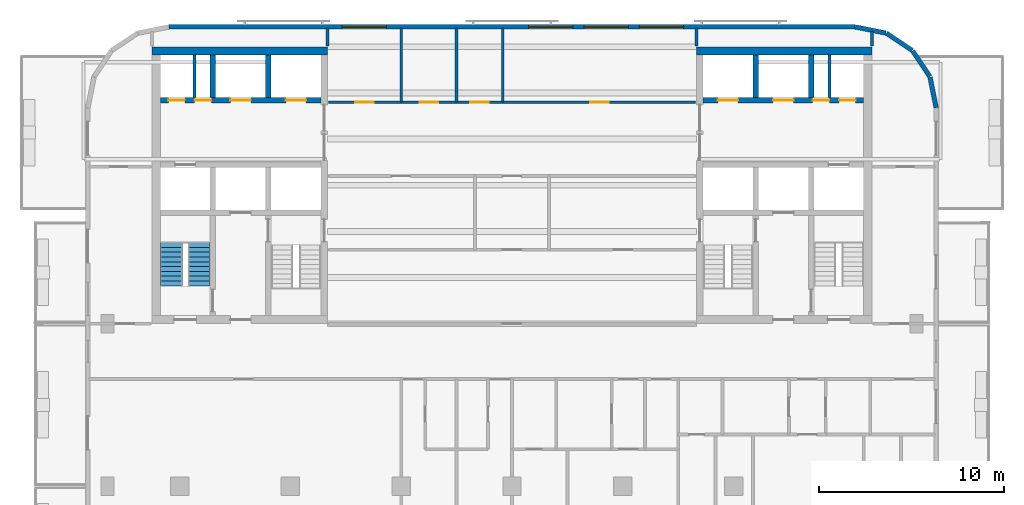
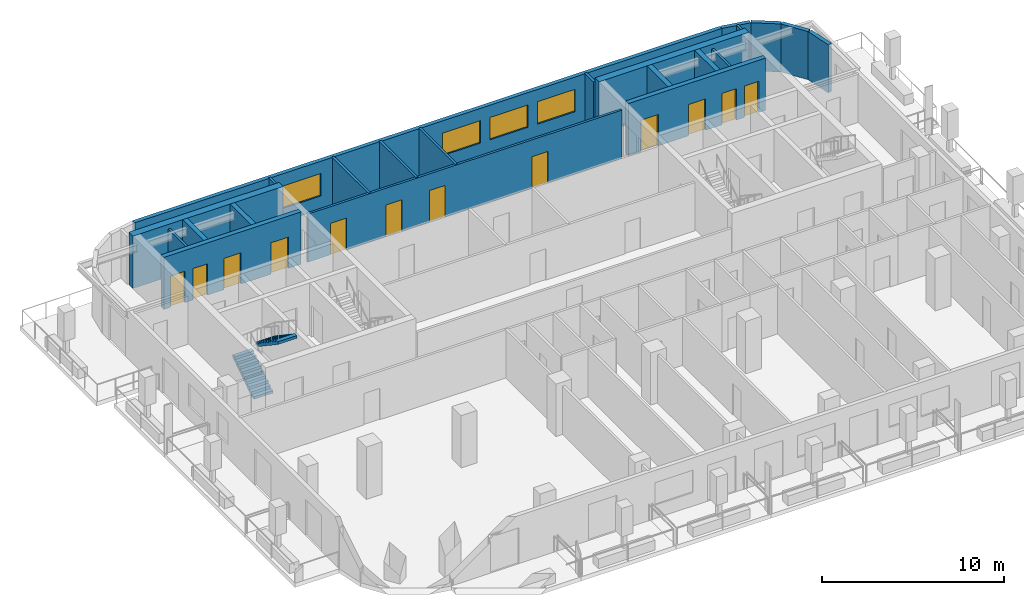
# One storey, part 6 of 10: 22 walls, 12 doors, 4 windows, 2 stair flights, 16 openings, 1 element without a shape of its own.
"""IFC4 building model written with IfcOpenShell, lengths in metres."""

import ifcopenshell
import ifcopenshell.guid

model = None  # the IFC model being written
_history = None  # IfcOwnerHistory: only IFC2X3 demands one
_inside = {}  # id of a spatial element -> (the spatial element, [elements in it])
_under = {}  # id of a project, library or spatial element -> (it, [spatial elements below it])
_declared = {}  # id of a project -> (the project, [libraries it declares])
_typed = {}  # id of a type object -> (the type object, [elements of that type])
_made_of = {}  # id of a material, layer set ... -> (it, [elements and type objects made of it])


def new_model(schema):
    """Start an empty IFC model of exactly this schema.

    Asked for "IFC4X3", IfcOpenShell would pick the latest addendum, in which some entities
    have other attributes; the version numbers below select the first issue.
    IFC2X3 requires an IfcOwnerHistory on every rooted entity: one is made here for all.
    """
    global model, _history
    if schema == "IFC4X3":
        model = ifcopenshell.file(schema_version=(4, 3, 0, 0))
    else:
        model = ifcopenshell.file(schema=schema)
    _inside.clear()
    _under.clear()
    _declared.clear()
    _typed.clear()
    _made_of.clear()
    _history = None
    if model.schema == "IFC2X3":
        org = make("IfcOrganization", Name="unknown")
        user = make(
            "IfcPersonAndOrganization",
            ThePerson=make("IfcPerson", FamilyName="unknown"),
            TheOrganization=org,
        )
        app = make(
            "IfcApplication",
            ApplicationDeveloper=org,
            Version="unknown",
            ApplicationFullName="unknown",
            ApplicationIdentifier="unknown",
        )
        _history = make(
            "IfcOwnerHistory",
            OwningUser=user,
            OwningApplication=app,
            ChangeAction="ADDED",
            CreationDate=0,
        )
    return model


def make(cls, **values):
    """One entity of the class cls with the attributes given. An attribute that is None is left unset."""
    return model.create_entity(
        cls, **{name: value for name, value in values.items() if value is not None}
    )


def rooted(cls, **values):
    """An entity with a GlobalId (a new one), such as an element, a storey or a relation."""
    return make(cls, GlobalId=ifcopenshell.guid.new(), OwnerHistory=_history, **values)


def si_unit(unit_type, name, prefix=None):
    """IfcSIUnit, for example si_unit("LENGTHUNIT", "METRE", prefix="MILLI")."""
    return make("IfcSIUnit", UnitType=unit_type, Prefix=prefix, Name=name)


def assignment(units):
    """IfcUnitAssignment: the units of a project."""
    return None if units is None else make("IfcUnitAssignment", Units=units)


def point(xyz):
    """IfcCartesianPoint."""
    return None if xyz is None else make("IfcCartesianPoint", Coordinates=xyz)


def direction(xyz):
    """IfcDirection."""
    return None if xyz is None else make("IfcDirection", DirectionRatios=xyz)


def frame(location, z_axis=None, x_axis=None):
    """IfcAxis2Placement3D, a coordinate frame: its origin and axes. An axis left out is left unset."""
    return make(
        "IfcAxis2Placement3D",
        Location=point(location),
        Axis=direction(z_axis),
        RefDirection=direction(x_axis),
    )


def frame_2d(location, x_axis=None):
    """IfcAxis2Placement2D, a coordinate frame in the plane: its origin and x axis."""
    return make(
        "IfcAxis2Placement2D", Location=point(location), RefDirection=direction(x_axis)
    )


def origin():
    """The frame at (0, 0, 0) with its axes left unset."""
    return frame((0.0, 0.0, 0.0))


def place(relative_to, where):
    """IfcLocalPlacement: puts the frame where relative to a parent placement (None: the world)."""
    return make(
        "IfcLocalPlacement", PlacementRelTo=relative_to, RelativePlacement=where
    )


def context(
    kind, dimensions, precision=None, world=None, true_north=None, identifier=None
):
    """IfcGeometricRepresentationContext, for example the 3D "Model" context."""
    return make(
        "IfcGeometricRepresentationContext",
        ContextIdentifier=identifier,
        ContextType=kind,
        CoordinateSpaceDimension=dimensions,
        Precision=precision,
        WorldCoordinateSystem=world,
        TrueNorth=true_north,
    )


def subcontext(parent, identifier, kind, view, scale=None):
    """IfcGeometricRepresentationSubContext, for example "Body" below "Model"."""
    return make(
        "IfcGeometricRepresentationSubContext",
        ContextIdentifier=identifier,
        ContextType=kind,
        ParentContext=parent,
        TargetScale=scale,
        TargetView=view,
    )


def project(units=None, contexts=None):
    """IfcProject with its units and contexts."""
    return rooted(
        "IfcProject",
        Name="project",
        RepresentationContexts=contexts,
        UnitsInContext=assignment(units),
    )


def spatial(cls, under=None, at=None, **own):
    """A site, building, storey or space (cls), placed at a placement, below another one or the project."""
    s = rooted(cls, ObjectPlacement=at, **own)
    if under is not None:
        _under.setdefault(under.id(), (under, []))[1].append(s)
    return s


def polyline(points):
    """IfcPolyline through the points."""
    return make("IfcPolyline", Points=[point(p) for p in points])


def profile(cls, at=None, kind="AREA", **sizes):
    """A parametric profile (cls). Its sizes go by their IFC names, for example OverallWidth=200.0."""
    return make(cls, ProfileType=kind, Position=at, **sizes)


def rectangle(**sizes):
    """IfcRectangleProfileDef."""
    return profile("IfcRectangleProfileDef", **sizes)


def outline(outer, holes=None, kind="AREA"):
    """IfcArbitraryClosedProfileDef: a profile drawn as a closed curve; with holes, ...WithVoids."""
    if holes is None:
        return make("IfcArbitraryClosedProfileDef", ProfileType=kind, OuterCurve=outer)
    return make(
        "IfcArbitraryProfileDefWithVoids",
        ProfileType=kind,
        OuterCurve=outer,
        InnerCurves=holes,
    )


def extrude(swept, where, along, depth):
    """IfcExtrudedAreaSolid: the profile swept, set in the frame where, extruded along a direction by depth."""
    return make(
        "IfcExtrudedAreaSolid",
        SweptArea=swept,
        Position=where,
        ExtrudedDirection=direction(along),
        Depth=depth,
    )


def shape(context_of_items, identifier, shape_type, items):
    """IfcShapeRepresentation: the items that make up one representation, for example the "Body"."""
    return make(
        "IfcShapeRepresentation",
        ContextOfItems=context_of_items,
        RepresentationIdentifier=identifier,
        RepresentationType=shape_type,
        Items=items,
    )


def material(Name=None, Category=None):
    """IfcMaterial."""
    return make("IfcMaterial", Name=Name, Category=Category)


def layer(
    of_material, thickness, ventilated=None, Name=None, Category=None, Priority=None
):
    """IfcMaterialLayer: one layer of a wall or slab, of a material (None: an air gap)."""
    return make(
        "IfcMaterialLayer",
        Material=of_material,
        LayerThickness=thickness,
        IsVentilated=ventilated,
        Name=Name,
        Category=Category,
        Priority=Priority,
    )


def layer_set(layers, Name=None):
    """IfcMaterialLayerSet."""
    return make("IfcMaterialLayerSet", MaterialLayers=layers, LayerSetName=Name)


def made_of(thing, what):
    """Note that an element or type object is made of a material, layer set ...; save() writes the relation."""
    if what is not None:
        _made_of.setdefault(what.id(), (what, []))[1].append(thing)
    return thing


def type_object(cls, material=None, **own):
    """A type object (cls), such as IfcWallType, which elements share."""
    return made_of(rooted(cls, **own), material)


def element(
    cls,
    number,
    at=None,
    inside=None,
    cuts=None,
    type_object=None,
    material=None,
    context=None,
    identifier="Body",
    shape_type=None,
    held_by="IfcProductDefinitionShape",
    body=None,
    shapes=None,
    **own,
):
    """One element of the class cls, such as IfcWall. Its Tag is "e" and its number.

    at: its placement. inside: the storey or other place that contains it. cuts: it is an
    opening in that element (IfcRelVoidsElement). A single representation is given by context,
    identifier, shape_type and body (its items); several are given by shapes. held_by: the class
    of the entity that holds the representations. save() writes the other relations.
    """
    e = rooted(cls, Tag="e%d" % number, ObjectPlacement=at, **own)
    if body is not None:
        shapes = [shape(context, identifier, shape_type, body)]
    if shapes is not None:
        e.Representation = make(held_by, Representations=shapes)
    if inside is not None:
        _inside.setdefault(inside.id(), (inside, []))[1].append(e)
    if cuts is not None:
        rooted(
            "IfcRelVoidsElement", RelatingBuildingElement=cuts, RelatedOpeningElement=e
        )
    if type_object is not None:
        _typed.setdefault(type_object.id(), (type_object, []))[1].append(e)
    return made_of(e, material)


def fill(opening, filler):
    """IfcRelFillsElement: the door or window that sits in an opening."""
    return rooted(
        "IfcRelFillsElement",
        RelatingOpeningElement=opening,
        RelatedBuildingElement=filler,
    )


def aggregate(whole, parts):
    """IfcRelAggregates: a whole, such as a stair, and the parts it consists of."""
    return rooted("IfcRelAggregates", RelatingObject=whole, RelatedObjects=parts)


def save(model, path):
    """Write the relations noted so far, then the file.

    IfcRelAggregates (storeys below a building ...), IfcRelContainedInSpatialStructure (elements
    in a storey), IfcRelDefinesByType, IfcRelAssociatesMaterial and IfcRelDeclares: one each for
    every whole, place, type object, material and project.
    """
    for whole, parts in _under.values():
        aggregate(whole, parts)
    for where, things in _inside.values():
        rooted(
            "IfcRelContainedInSpatialStructure",
            RelatedElements=things,
            RelatingStructure=where,
        )
    for kind, things in _typed.values():
        rooted("IfcRelDefinesByType", RelatedObjects=things, RelatingType=kind)
    for what, things in _made_of.values():
        rooted("IfcRelAssociatesMaterial", RelatedObjects=things, RelatingMaterial=what)
    for by, libraries in _declared.values():
        rooted("IfcRelDeclares", RelatingContext=by, RelatedDefinitions=libraries)
    model.write(path)


model = new_model("IFC4")

# Units and contexts
model_context = context("Model", 3, precision=1e-05, world=origin(), true_north=direction((0.0, 1.0)))
body_context = subcontext(model_context, "Body", "Model", "MODEL_VIEW")
ifc_project = project(units=[si_unit("LENGTHUNIT", "METRE"), si_unit("AREAUNIT", "SQUARE_METRE"), si_unit("VOLUMEUNIT", "CUBIC_METRE"), si_unit("PLANEANGLEUNIT", "RADIAN"), si_unit("MASSUNIT", "GRAM", prefix="KILO")], contexts=[model_context])

# Site, building, storey
site_placement = place(None, origin())
site = spatial("IfcSite", under=ifc_project, at=site_placement, CompositionType="ELEMENT")
building_placement = place(site_placement, origin())
building = spatial("IfcBuilding", under=site, at=building_placement, Name="Torana Hotel and Residences", CompositionType="ELEMENT")
storey_placement = place(building_placement, frame((0.0, 0.0, 301.60009765625)))
storey = spatial("IfcBuildingStorey", under=building, at=storey_placement, Name="L80", CompositionType="ELEMENT", Elevation=301.60009765625)

# Wall, openings, doors
ifc_material_1 = material(Name="Concrete C60/75", Category="concrete")
ifc_layer_1 = layer(ifc_material_1, 0.300048828125)
ifc_layer_set_1 = layer_set([ifc_layer_1], Name="CORE WALL 300 C60/75")
wall_type_1 = type_object("IfcWallType", Name="CORE WALL 300 C60/75", PredefinedType="SHEAR", material=ifc_layer_set_1)
wall_1_placement = place(storey_placement, frame((-19.050048828125, -2.89990234375, 0.0), z_axis=(0.0, 0.0, 1.0), x_axis=(1.0, 0.0, 0.0)))
wall_1 = element("IfcWall", 1, at=wall_1_placement, inside=storey, type_object=wall_type_1, Name="Core wall W row-N", PredefinedType="SHEAR", context=body_context, shape_type="SweptSolid", body=[
    extrude(rectangle(XDim=8.699951171875, YDim=0.300048828125, at=frame_2d((4.35009765625, 0.0))), origin(), (0.0, 0.0, 1.0), 3.5),
])
opening_1_placement = place(wall_1_placement, frame((6.800048828125, 0.0, 0.0)))
opening_1 = element("IfcOpeningElement", 2, at=opening_1_placement, cuts=wall_1, Name="Opening LD", PredefinedType="OPENING", context=body_context, shape_type="SweptSolid", body=[
    extrude(rectangle(XDim=1.10009765625, YDim=2.10009765625, at=frame_2d((0.550048828125, 1.050048828125))), frame((0.0, 0.159912109375, 0.0), z_axis=(0.0, -1.0, 0.0), x_axis=(1.0, 0.0, 0.0)), (0.0, 0.0, 1.0), 0.320068359375),
])
opening_2_placement = place(wall_1_placement, frame((3.800048828125, 0.0, 0.0)))
opening_2 = element("IfcOpeningElement", 3, at=opening_2_placement, cuts=wall_1, Name="Opening LD", PredefinedType="OPENING", context=body_context, shape_type="SweptSolid", body=[
    extrude(rectangle(XDim=1.10009765625, YDim=2.10009765625, at=frame_2d((0.550048828125, 1.050048828125))), frame((0.0, 0.159912109375, 0.0), z_axis=(0.0, -1.0, 0.0), x_axis=(1.0, 0.0, 0.0)), (0.0, 0.0, 1.0), 0.320068359375),
])
opening_3_placement = place(wall_1_placement, frame((1.862548828125, 0.0, 0.0)))
opening_3 = element("IfcOpeningElement", 4, at=opening_3_placement, cuts=wall_1, Name="Opening L80-06", PredefinedType="OPENING", context=body_context, shape_type="SweptSolid", body=[
    extrude(rectangle(XDim=0.89990234375, YDim=2.10009765625, at=frame_2d((0.449951171875, 1.050048828125))), frame((0.0, 0.159912109375, 0.0), z_axis=(0.0, -1.0, 0.0), x_axis=(1.0, 0.0, 0.0)), (0.0, 0.0, 1.0), 0.320068359375),
])
opening_4_placement = place(wall_1_placement, frame((0.4375, 0.0, 0.0)))
opening_4 = element("IfcOpeningElement", 5, at=opening_4_placement, cuts=wall_1, Name="Opening L80-07", PredefinedType="OPENING", context=body_context, shape_type="SweptSolid", body=[
    extrude(rectangle(XDim=0.89990234375, YDim=2.10009765625, at=frame_2d((0.449951171875, 1.050048828125))), frame((0.0, 0.159912109375, 0.0), z_axis=(0.0, -1.0, 0.0), x_axis=(1.0, 0.0, 0.0)), (0.0, 0.0, 1.0), 0.320068359375),
])
ifc_material_2 = material(Name="Stainless steel 316", Category="steel")
door_type_1 = type_object("IfcDoorType", Name="LIFT LANDING DOOR LD 1100x2100", OperationType="DOUBLE_DOOR_SLIDING", PredefinedType="USERDEFINED", material=ifc_material_2)
door_1_placement = place(opening_1_placement, origin())
door_1 = element("IfcDoor", 6, at=door_1_placement, inside=storey, type_object=door_type_1, Name="Lift landing door H1 L80", ObjectType="LIFT LANDING DOOR", OperationType="DOUBLE_DOOR_SLIDING", OverallHeight=2.10009765625, OverallWidth=1.10009765625, PredefinedType="USERDEFINED", context=body_context, shape_type="SweptSolid", body=[
    extrude(rectangle(XDim=1.10009765625, YDim=2.10009765625, at=frame_2d((0.550048828125, 1.050048828125))), frame((0.0, 0.02490234375, 0.0), z_axis=(0.0, -1.0, 0.0), x_axis=(1.0, 0.0, 0.0)), (0.0, 0.0, 1.0), 0.050048828125),
])
fill(opening_1, door_1)
door_2_placement = place(opening_2_placement, origin())
door_2 = element("IfcDoor", 7, at=door_2_placement, inside=storey, type_object=door_type_1, Name="Lift landing door H2 L80", ObjectType="LIFT LANDING DOOR", OperationType="DOUBLE_DOOR_SLIDING", OverallHeight=2.10009765625, OverallWidth=1.10009765625, PredefinedType="USERDEFINED", context=body_context, shape_type="SweptSolid", body=[
    extrude(rectangle(XDim=1.10009765625, YDim=2.10009765625, at=frame_2d((0.550048828125, 1.050048828125))), frame((0.0, 0.02490234375, 0.0), z_axis=(0.0, -1.0, 0.0), x_axis=(1.0, 0.0, 0.0)), (0.0, 0.0, 1.0), 0.050048828125),
])
fill(opening_2, door_2)
ifc_material_3 = material(Name="Steel S235", Category="steel")
door_type_2 = type_object("IfcDoorType", Name="RISER ACCESS DOOR D5 900x2100", OperationType="SINGLE_SWING_LEFT", PredefinedType="DOOR", material=ifc_material_3)
door_3_placement = place(opening_3_placement, origin())
door_3 = element("IfcDoor", 8, at=door_3_placement, inside=storey, type_object=door_type_2, Name="N2A door L80", OperationType="SINGLE_SWING_LEFT", OverallHeight=2.10009765625, OverallWidth=0.89990234375, PredefinedType="DOOR", context=body_context, shape_type="SweptSolid", body=[
    extrude(rectangle(XDim=0.89990234375, YDim=2.10009765625, at=frame_2d((0.449951171875, 1.050048828125))), frame((0.0, 0.02490234375, 0.0), z_axis=(0.0, -1.0, 0.0), x_axis=(1.0, 0.0, 0.0)), (0.0, 0.0, 1.0), 0.050048828125),
])
fill(opening_3, door_3)
door_4_placement = place(opening_4_placement, origin())
door_4 = element("IfcDoor", 9, at=door_4_placement, inside=storey, type_object=door_type_2, Name="N2B door L80", OperationType="SINGLE_SWING_RIGHT", OverallHeight=2.10009765625, OverallWidth=0.89990234375, PredefinedType="DOOR", context=body_context, shape_type="SweptSolid", body=[
    extrude(rectangle(XDim=0.89990234375, YDim=2.10009765625, at=frame_2d((0.449951171875, 1.050048828125))), frame((0.0, 0.02490234375, 0.0), z_axis=(0.0, -1.0, 0.0), x_axis=(1.0, 0.0, 0.0)), (0.0, 0.0, 1.0), 0.050048828125),
])
fill(opening_4, door_4)

# Walls
for number, where, z_axis, x_axis, name in (
    (10, (-13.199951171875, -2.75, 0.0), (0.0, 0.0, 1.0), (0.0, 1.0, 0.0), "Core wall W x3.05-N"),
    (11, (-16.199951171875, -2.75, 0.0), (0.0, 0.0, 1.0), (0.0, 1.0, 0.0), "Core wall W x6.05-N"),
):
    element("IfcWall", number, at=place(storey_placement, frame(where, z_axis=z_axis, x_axis=x_axis)), inside=storey, type_object=wall_type_1, Name=name, PredefinedType="SHEAR", context=body_context, shape_type="SweptSolid", body=[
        extrude(rectangle(XDim=2.300048828125, YDim=0.300048828125, at=frame_2d((1.14990234375, 0.0))), origin(), (0.0, 0.0, 1.0), 3.5),
    ])

# Wall, openings, doors
wall_2_placement = place(storey_placement, frame((10.35009765625, -2.89990234375, 0.0), z_axis=(0.0, 0.0, 1.0), x_axis=(1.0, 0.0, 0.0)))
wall_2 = element("IfcWall", 12, at=wall_2_placement, inside=storey, type_object=wall_type_1, Name="Core wall E row-N", PredefinedType="SHEAR", context=body_context, shape_type="SweptSolid", body=[
    extrude(rectangle(XDim=8.699951171875, YDim=0.300048828125, at=frame_2d((4.35009765625, 0.0))), origin(), (0.0, 0.0, 1.0), 3.5),
])
opening_5_placement = place(wall_2_placement, frame((0.800048828125, 0.0, 0.0)))
opening_5 = element("IfcOpeningElement", 13, at=opening_5_placement, cuts=wall_2, Name="Opening LD", PredefinedType="OPENING", context=body_context, shape_type="SweptSolid", body=[
    extrude(rectangle(XDim=1.10009765625, YDim=2.10009765625, at=frame_2d((0.550048828125, 1.050048828125))), frame((0.0, 0.159912109375, 0.0), z_axis=(0.0, -1.0, 0.0), x_axis=(1.0, 0.0, 0.0)), (0.0, 0.0, 1.0), 0.320068359375),
])
opening_6_placement = place(wall_2_placement, frame((3.800048828125, 0.0, 0.0)))
opening_6 = element("IfcOpeningElement", 14, at=opening_6_placement, cuts=wall_2, Name="Opening LD", PredefinedType="OPENING", context=body_context, shape_type="SweptSolid", body=[
    extrude(rectangle(XDim=1.10009765625, YDim=2.10009765625, at=frame_2d((0.550048828125, 1.050048828125))), frame((0.0, 0.159912109375, 0.0), z_axis=(0.0, -1.0, 0.0), x_axis=(1.0, 0.0, 0.0)), (0.0, 0.0, 1.0), 0.320068359375),
])
opening_7_placement = place(wall_2_placement, frame((5.9375, 0.0, 0.0)))
opening_7 = element("IfcOpeningElement", 15, at=opening_7_placement, cuts=wall_2, Name="Opening L80-15", PredefinedType="OPENING", context=body_context, shape_type="SweptSolid", body=[
    extrude(rectangle(XDim=0.89990234375, YDim=2.10009765625, at=frame_2d((0.449951171875, 1.050048828125))), frame((0.0, 0.159912109375, 0.0), z_axis=(0.0, -1.0, 0.0), x_axis=(1.0, 0.0, 0.0)), (0.0, 0.0, 1.0), 0.320068359375),
])
opening_8_placement = place(wall_2_placement, frame((7.362548828125, 0.0, 0.0)))
opening_8 = element("IfcOpeningElement", 16, at=opening_8_placement, cuts=wall_2, Name="Opening L80-16", PredefinedType="OPENING", context=body_context, shape_type="SweptSolid", body=[
    extrude(rectangle(XDim=0.89990234375, YDim=2.10009765625, at=frame_2d((0.449951171875, 1.050048828125))), frame((0.0, 0.159912109375, 0.0), z_axis=(0.0, -1.0, 0.0), x_axis=(1.0, 0.0, 0.0)), (0.0, 0.0, 1.0), 0.320068359375),
])
door_5_placement = place(opening_5_placement, origin())
door_5 = element("IfcDoor", 17, at=door_5_placement, inside=storey, type_object=door_type_1, Name="Lift landing door H3 L80", ObjectType="LIFT LANDING DOOR", OperationType="DOUBLE_DOOR_SLIDING", OverallHeight=2.10009765625, OverallWidth=1.10009765625, PredefinedType="USERDEFINED", context=body_context, shape_type="SweptSolid", body=[
    extrude(rectangle(XDim=1.10009765625, YDim=2.10009765625, at=frame_2d((0.550048828125, 1.050048828125))), frame((0.0, 0.02490234375, 0.0), z_axis=(0.0, -1.0, 0.0), x_axis=(1.0, 0.0, 0.0)), (0.0, 0.0, 1.0), 0.050048828125),
])
fill(opening_5, door_5)
door_6_placement = place(opening_6_placement, origin())
door_6 = element("IfcDoor", 18, at=door_6_placement, inside=storey, type_object=door_type_1, Name="Lift landing door H4 L80", ObjectType="LIFT LANDING DOOR", OperationType="DOUBLE_DOOR_SLIDING", OverallHeight=2.10009765625, OverallWidth=1.10009765625, PredefinedType="USERDEFINED", context=body_context, shape_type="SweptSolid", body=[
    extrude(rectangle(XDim=1.10009765625, YDim=2.10009765625, at=frame_2d((0.550048828125, 1.050048828125))), frame((0.0, 0.02490234375, 0.0), z_axis=(0.0, -1.0, 0.0), x_axis=(1.0, 0.0, 0.0)), (0.0, 0.0, 1.0), 0.050048828125),
])
fill(opening_6, door_6)
door_7_placement = place(opening_7_placement, origin())
door_7 = element("IfcDoor", 19, at=door_7_placement, inside=storey, type_object=door_type_2, Name="N2A door L80", OperationType="SINGLE_SWING_RIGHT", OverallHeight=2.10009765625, OverallWidth=0.89990234375, PredefinedType="DOOR", context=body_context, shape_type="SweptSolid", body=[
    extrude(rectangle(XDim=0.89990234375, YDim=2.10009765625, at=frame_2d((0.449951171875, 1.050048828125))), frame((0.0, 0.02490234375, 0.0), z_axis=(0.0, -1.0, 0.0), x_axis=(1.0, 0.0, 0.0)), (0.0, 0.0, 1.0), 0.050048828125),
])
fill(opening_7, door_7)
door_8_placement = place(opening_8_placement, origin())
door_8 = element("IfcDoor", 20, at=door_8_placement, inside=storey, type_object=door_type_2, Name="N2B door L80", OperationType="SINGLE_SWING_RIGHT", OverallHeight=2.10009765625, OverallWidth=0.89990234375, PredefinedType="DOOR", context=body_context, shape_type="SweptSolid", body=[
    extrude(rectangle(XDim=0.89990234375, YDim=2.10009765625, at=frame_2d((0.449951171875, 1.050048828125))), frame((0.0, 0.02490234375, 0.0), z_axis=(0.0, -1.0, 0.0), x_axis=(1.0, 0.0, 0.0)), (0.0, 0.0, 1.0), 0.050048828125),
])
fill(opening_8, door_8)

# Walls
for number, where, z_axis, x_axis, name in (
    (21, (13.199951171875, -2.75, 0.0), (0.0, 0.0, 1.0), (0.0, 1.0, 0.0), "Core wall E x3.05-N"),
    (22, (16.199951171875, -2.75, 0.0), (0.0, 0.0, 1.0), (0.0, 1.0, 0.0), "Core wall E x6.05-N"),
):
    element("IfcWall", number, at=place(storey_placement, frame(where, z_axis=z_axis, x_axis=x_axis)), inside=storey, type_object=wall_type_1, Name=name, PredefinedType="SHEAR", context=body_context, shape_type="SweptSolid", body=[
        extrude(rectangle(XDim=2.300048828125, YDim=0.300048828125, at=frame_2d((1.14990234375, 0.0))), origin(), (0.0, 0.0, 1.0), 3.5),
    ])
ifc_material_4 = material(Name="Concrete C60/75", Category="concrete")
ifc_layer_2 = layer(ifc_material_4, 0.449951171875)
ifc_layer_set_2 = layer_set([ifc_layer_2], Name="CORE WALL 450 C60/75")
wall_type_2 = type_object("IfcWallType", Name="CORE WALL 450 C60/75", PredefinedType="SHEAR", material=ifc_layer_set_2)
for number, where, z_axis, x_axis, name in (
    (23, (-19.5, -0.22509765625, 0.0), (0.0, 0.0, 1.0), (1.0, 0.0, 0.0), "Core wall W rear"),
    (24, (10.0, -0.22509765625, 0.0), (0.0, 0.0, 1.0), (1.0, 0.0, 0.0), "Core wall E rear"),
):
    element("IfcWall", number, at=place(storey_placement, frame(where, z_axis=z_axis, x_axis=x_axis)), inside=storey, type_object=wall_type_2, Name=name, PredefinedType="SHEAR", context=body_context, shape_type="SweptSolid", body=[
        extrude(rectangle(XDim=9.5, YDim=0.449951171875, at=frame_2d((4.75, 0.0))), origin(), (0.0, 0.0, 1.0), 3.5),
    ])
ifc_material_5 = material(Name="Black aluminium composite panel", Category="aluminium")
ifc_layer_3 = layer(ifc_material_5, 0.00390625, Name="Cladding", Category="cladding")
ifc_material_6 = material(Name="Ventilated air cavity")
ifc_layer_4 = layer(ifc_material_6, 0.0400390625, Name="Ventilated cavity", Category="cavity")
ifc_material_7 = material(Name="Mineral wool insulation")
ifc_layer_5 = layer(ifc_material_7, 0.090087890625, Name="Insulation", Category="insulation")
ifc_material_8 = material(Name="Steel S280GD", Category="steel")
ifc_layer_6 = layer(ifc_material_8, 0.092041015625, Name="Steel stud frame", Category="structure")
ifc_material_9 = material(Name="Fire rated plasterboard")
ifc_layer_7 = layer(ifc_material_9, 0.011962890625, Name="Inner board", Category="finish")
ifc_layer_8 = layer(ifc_material_9, 0.011962890625, Name="Second board", Category="finish")
ifc_layer_set_3 = layer_set([ifc_layer_3, ifc_layer_4, ifc_layer_5, ifc_layer_6, ifc_layer_7, ifc_layer_8], Name="EW1 EXTERNAL WALL BLACK METAL CLAD 250")
wall_type_3 = type_object("IfcWallType", Name="EW1 EXTERNAL WALL BLACK METAL CLAD 250", PredefinedType="SOLIDWALL", material=ifc_layer_set_3)
wall_3_placement = place(storey_placement, frame((22.97265625, -3.30029296875, 0.0), z_axis=(0.0, 0.0, 1.0), x_axis=(-0.19513878023, 0.980775640221, 0.0)))
element("IfcWall", 25, at=wall_3_placement, inside=storey, type_object=wall_type_3, Name="External wall L80 e0.0", PredefinedType="SOLIDWALL", context=body_context, shape_type="SweptSolid", body=[
    extrude(rectangle(XDim=1.681396484375, YDim=0.25, at=frame_2d((0.8408203125, 0.0))), origin(), (0.0, 0.0, 1.0), 3.219970703125),
])
for number, where, z_axis, x_axis, name in (
    (26, (22.6259765625, -1.60595703125, 0.0), (0.0, 0.0, 1.0), (-0.55555029066, 0.831482937015, 0.0), "External wall L80 e0.1"),
    (27, (21.671142578125, -0.1943359375, 0.0), (0.0, 0.0, 1.0), (-0.831482937015, 0.55555029066, 0.0), "External wall L80 e0.2"),
):
    element("IfcWall", number, at=place(storey_placement, frame(where, z_axis=z_axis, x_axis=x_axis)), inside=storey, type_object=wall_type_3, Name=name, PredefinedType="SOLIDWALL", context=body_context, shape_type="SweptSolid", body=[
        extrude(rectangle(XDim=1.65625, YDim=0.25, at=frame_2d((0.828125, 0.0))), origin(), (0.0, 0.0, 1.0), 3.219970703125),
    ])
wall_4_placement = place(storey_placement, frame((20.248779296875, 0.74462890625, 0.0), z_axis=(0.0, 0.0, 1.0), x_axis=(-0.980797896849, 0.195026884138, 0.0)))
element("IfcWall", 28, at=wall_4_placement, inside=storey, type_object=wall_type_3, Name="External wall L80 e0.3", PredefinedType="SOLIDWALL", context=body_context, shape_type="SweptSolid", body=[
    extrude(rectangle(XDim=1.68115234375, YDim=0.25, at=frame_2d((0.840576171875, 0.0))), origin(), (0.0, 0.0, 1.0), 3.219970703125),
])

# Wall, openings, windows
ifc_material_10 = material(Name="Concrete C40/50 precast", Category="concrete")
ifc_layer_9 = layer(ifc_material_10, 0.10009765625, Name="Perforated block", Category="cladding")
ifc_material_11 = material(Name="Air cavity")
ifc_layer_10 = layer(ifc_material_11, 0.030029296875, Name="Cavity", Category="cavity")
ifc_material_12 = material(Name="Concrete C40/50", Category="concrete")
ifc_layer_11 = layer(ifc_material_12, 0.10009765625, Name="Wall", Category="structure")
ifc_material_13 = material(Name="Plaster and paint")
ifc_layer_12 = layer(ifc_material_13, 0.02001953125, Name="Inner finish", Category="finish")
ifc_layer_set_4 = layer_set([ifc_layer_9, ifc_layer_10, ifc_layer_11, ifc_layer_12], Name="EW2 PERFORATED BLOCK SCREEN WALL 250")
wall_type_4 = type_object("IfcWallType", Name="EW2 PERFORATED BLOCK SCREEN WALL 250", PredefinedType="SOLIDWALL", material=ifc_layer_set_4)
wall_5_placement = place(storey_placement, frame((18.575439453125, 1.074951171875, 0.0), z_axis=(0.0, 0.0, 1.0), x_axis=(-1.0, 0.0, 0.0)))
wall_5 = element("IfcWall", 29, at=wall_5_placement, inside=storey, type_object=wall_type_4, Name="External wall L80 e0.4", PredefinedType="SOLIDWALL", context=body_context, shape_type="SweptSolid", body=[
    extrude(rectangle(XDim=37.15087890625, YDim=0.25, at=frame_2d((18.575439453125, 0.0))), origin(), (0.0, 0.0, 1.0), 3.219970703125),
])
opening_9_placement = place(wall_5_placement, frame((9.275390625, 0.0, 0.89990234375)))
opening_9 = element("IfcOpeningElement", 30, at=opening_9_placement, cuts=wall_5, Name="Opening W3", PredefinedType="OPENING", context=body_context, shape_type="SweptSolid", body=[
    extrude(rectangle(XDim=2.39990234375, YDim=1.5, at=frame_2d((1.199951171875, 0.75))), frame((0.0, 0.135009765625, 0.0), z_axis=(0.0, -1.0, 0.0), x_axis=(1.0, 0.0, 0.0)), (0.0, 0.0, 1.0), 0.27001953125),
])
opening_10_placement = place(wall_5_placement, frame((12.275390625, 0.0, 0.89990234375)))
opening_10 = element("IfcOpeningElement", 31, at=opening_10_placement, cuts=wall_5, Name="Opening W3", PredefinedType="OPENING", context=body_context, shape_type="SweptSolid", body=[
    extrude(rectangle(XDim=2.39990234375, YDim=1.5, at=frame_2d((1.199951171875, 0.75))), frame((0.0, 0.135009765625, 0.0), z_axis=(0.0, -1.0, 0.0), x_axis=(1.0, 0.0, 0.0)), (0.0, 0.0, 1.0), 0.27001953125),
])
opening_11_placement = place(wall_5_placement, frame((15.275390625, 0.0, 0.89990234375)))
opening_11 = element("IfcOpeningElement", 32, at=opening_11_placement, cuts=wall_5, Name="Opening W3", PredefinedType="OPENING", context=body_context, shape_type="SweptSolid", body=[
    extrude(rectangle(XDim=2.39990234375, YDim=1.5, at=frame_2d((1.199951171875, 0.75))), frame((0.0, 0.135009765625, 0.0), z_axis=(0.0, -1.0, 0.0), x_axis=(1.0, 0.0, 0.0)), (0.0, 0.0, 1.0), 0.27001953125),
])
opening_12_placement = place(wall_5_placement, frame((25.37548828125, 0.0, 0.89990234375)))
opening_12 = element("IfcOpeningElement", 33, at=opening_12_placement, cuts=wall_5, Name="Opening W3", PredefinedType="OPENING", context=body_context, shape_type="SweptSolid", body=[
    extrude(rectangle(XDim=2.39990234375, YDim=1.5, at=frame_2d((1.199951171875, 0.75))), frame((0.0, 0.135009765625, 0.0), z_axis=(0.0, -1.0, 0.0), x_axis=(1.0, 0.0, 0.0)), (0.0, 0.0, 1.0), 0.27001953125),
])
ifc_material_14 = material(Name="Dark glass in black aluminium frame", Category="aluminium")
window_type = type_object("IfcWindowType", Name="W3 RESIDENCE WINDOW 2400x1500", PartitioningType="SINGLE_PANEL", PredefinedType="WINDOW", material=ifc_material_14)
window_1_placement = place(opening_9_placement, origin())
window_1 = element("IfcWindow", 34, at=window_1_placement, inside=storey, type_object=window_type, Name="Window L80", OverallHeight=1.5, OverallWidth=2.39990234375, PartitioningType="SINGLE_PANEL", PredefinedType="WINDOW", context=body_context, shape_type="SweptSolid", body=[
    extrude(rectangle(XDim=2.39990234375, YDim=1.5, at=frame_2d((1.199951171875, 0.75))), frame((0.0, 0.030029296875, 0.0), z_axis=(0.0, -1.0, 0.0), x_axis=(1.0, 0.0, 0.0)), (0.0, 0.0, 1.0), 0.06005859375),
])
fill(opening_9, window_1)
window_2_placement = place(opening_10_placement, origin())
window_2 = element("IfcWindow", 35, at=window_2_placement, inside=storey, type_object=window_type, Name="Window L80", OverallHeight=1.5, OverallWidth=2.39990234375, PartitioningType="SINGLE_PANEL", PredefinedType="WINDOW", context=body_context, shape_type="SweptSolid", body=[
    extrude(rectangle(XDim=2.39990234375, YDim=1.5, at=frame_2d((1.199951171875, 0.75))), frame((0.0, 0.030029296875, 0.0), z_axis=(0.0, -1.0, 0.0), x_axis=(1.0, 0.0, 0.0)), (0.0, 0.0, 1.0), 0.06005859375),
])
fill(opening_10, window_2)
window_3_placement = place(opening_11_placement, origin())
window_3 = element("IfcWindow", 36, at=window_3_placement, inside=storey, type_object=window_type, Name="Window L80", OverallHeight=1.5, OverallWidth=2.39990234375, PartitioningType="SINGLE_PANEL", PredefinedType="WINDOW", context=body_context, shape_type="SweptSolid", body=[
    extrude(rectangle(XDim=2.39990234375, YDim=1.5, at=frame_2d((1.199951171875, 0.75))), frame((0.0, 0.030029296875, 0.0), z_axis=(0.0, -1.0, 0.0), x_axis=(1.0, 0.0, 0.0)), (0.0, 0.0, 1.0), 0.06005859375),
])
fill(opening_11, window_3)
window_4_placement = place(opening_12_placement, origin())
window_4 = element("IfcWindow", 37, at=window_4_placement, inside=storey, type_object=window_type, Name="Window L80", OverallHeight=1.5, OverallWidth=2.39990234375, PartitioningType="SINGLE_PANEL", PredefinedType="WINDOW", context=body_context, shape_type="SweptSolid", body=[
    extrude(rectangle(XDim=2.39990234375, YDim=1.5, at=frame_2d((1.199951171875, 0.75))), frame((0.0, 0.030029296875, 0.0), z_axis=(0.0, -1.0, 0.0), x_axis=(1.0, 0.0, 0.0)), (0.0, 0.0, 1.0), 0.06005859375),
])
fill(opening_12, window_4)

# Walls
ifc_material_15 = material(Name="Gypsum plaster")
ifc_layer_13 = layer(ifc_material_15, 0.014892578125, Name="Plaster", Category="finish")
ifc_material_16 = material(Name="Concrete blockwork", Category="masonry")
ifc_layer_14 = layer(ifc_material_16, 0.1201171875, Name="Blockwork", Category="structure")
ifc_layer_15 = layer(ifc_material_15, 0.014892578125, Name="Plaster", Category="finish")
ifc_layer_set_5 = layer_set([ifc_layer_13, ifc_layer_14, ifc_layer_15], Name="FIRE PARTITION 150 BLOCKWORK")
wall_type_5 = type_object("IfcWallType", Name="FIRE PARTITION 150 BLOCKWORK", PredefinedType="PARTITIONING", material=ifc_layer_set_5)
for number, where, z_axis, x_axis, name in (
    (38, (-17.199951171875, -2.75, 0.0), (0.0, 0.0, 1.0), (0.0, 1.0, 0.0), "Core partition L80"),
    (39, (17.199951171875, -2.75, 0.0), (0.0, 0.0, 1.0), (0.0, 1.0, 0.0), "Core partition L80"),
):
    element("IfcWall", number, at=place(storey_placement, frame(where, z_axis=z_axis, x_axis=x_axis)), inside=storey, type_object=wall_type_5, Name=name, PredefinedType="PARTITIONING", context=body_context, shape_type="SweptSolid", body=[
        extrude(rectangle(XDim=2.300048828125, YDim=0.14990234375, at=frame_2d((1.14990234375, 0.0))), origin(), (0.0, 0.0, 1.0), 3.199951171875),
    ])

# Wall, openings, doors
wall_6_placement = place(storey_placement, frame((-9.949951171875, -3.0, 0.0), z_axis=(0.0, 0.0, 1.0), x_axis=(1.0, 0.0, 0.0)))
wall_6 = element("IfcWall", 40, at=wall_6_placement, inside=storey, type_object=wall_type_5, Name="Partition L80", PredefinedType="PARTITIONING", context=body_context, shape_type="SweptSolid", body=[
    extrude(rectangle(XDim=19.89990234375, YDim=0.14990234375, at=frame_2d((9.949951171875, 0.0))), origin(), (0.0, 0.0, 1.0), 3.219970703125),
])
opening_13_placement = place(wall_6_placement, frame((1.449951171875, 0.0, 0.0)))
opening_13 = element("IfcOpeningElement", 41, at=opening_13_placement, cuts=wall_6, Name="Opening L80-33", PredefinedType="OPENING", context=body_context, shape_type="SweptSolid", body=[
    extrude(rectangle(XDim=1.0, YDim=2.10009765625, at=frame_2d((0.5, 1.050048828125))), frame((0.0, 0.0849609375, 0.0), z_axis=(0.0, -1.0, 0.0), x_axis=(1.0, 0.0, 0.0)), (0.0, 0.0, 1.0), 0.169921875),
])
opening_14_placement = place(wall_6_placement, frame((4.949951171875, 0.0, 0.0)))
opening_14 = element("IfcOpeningElement", 42, at=opening_14_placement, cuts=wall_6, Name="Opening L80-34", PredefinedType="OPENING", context=body_context, shape_type="SweptSolid", body=[
    extrude(rectangle(XDim=1.0, YDim=2.10009765625, at=frame_2d((0.5, 1.050048828125))), frame((0.0, 0.0849609375, 0.0), z_axis=(0.0, -1.0, 0.0), x_axis=(1.0, 0.0, 0.0)), (0.0, 0.0, 1.0), 0.169921875),
])
opening_15_placement = place(wall_6_placement, frame((7.699951171875, 0.0, 0.0)))
opening_15 = element("IfcOpeningElement", 43, at=opening_15_placement, cuts=wall_6, Name="Opening L80-35", PredefinedType="OPENING", context=body_context, shape_type="SweptSolid", body=[
    extrude(rectangle(XDim=1.0, YDim=2.10009765625, at=frame_2d((0.5, 1.050048828125))), frame((0.0, 0.0849609375, 0.0), z_axis=(0.0, -1.0, 0.0), x_axis=(1.0, 0.0, 0.0)), (0.0, 0.0, 1.0), 0.169921875),
])
opening_16_placement = place(wall_6_placement, frame((14.199951171875, 0.0, 0.0)))
opening_16 = element("IfcOpeningElement", 44, at=opening_16_placement, cuts=wall_6, Name="Opening L80-36", PredefinedType="OPENING", context=body_context, shape_type="SweptSolid", body=[
    extrude(rectangle(XDim=1.0, YDim=2.10009765625, at=frame_2d((0.5, 1.050048828125))), frame((0.0, 0.0849609375, 0.0), z_axis=(0.0, -1.0, 0.0), x_axis=(1.0, 0.0, 0.0)), (0.0, 0.0, 1.0), 0.169921875),
])
ifc_material_17 = material(Name="Steel S235", Category="steel")
door_type_3 = type_object("IfcDoorType", Name="ENTRY FIRE DOOR D6 1000x2100", OperationType="SINGLE_SWING_LEFT", PredefinedType="DOOR", material=ifc_material_17)
door_9_placement = place(opening_13_placement, origin())
door_9 = element("IfcDoor", 45, at=door_9_placement, inside=storey, type_object=door_type_3, Name="Door L80", OperationType="SINGLE_SWING_RIGHT", OverallHeight=2.10009765625, OverallWidth=1.0, PredefinedType="DOOR", context=body_context, shape_type="SweptSolid", body=[
    extrude(rectangle(XDim=1.0, YDim=2.10009765625, at=frame_2d((0.5, 1.050048828125))), frame((0.0, 0.02490234375, 0.0), z_axis=(0.0, -1.0, 0.0), x_axis=(1.0, 0.0, 0.0)), (0.0, 0.0, 1.0), 0.050048828125),
])
fill(opening_13, door_9)
door_10_placement = place(opening_14_placement, origin())
door_10 = element("IfcDoor", 46, at=door_10_placement, inside=storey, type_object=door_type_3, Name="Door L80", OperationType="SINGLE_SWING_RIGHT", OverallHeight=2.10009765625, OverallWidth=1.0, PredefinedType="DOOR", context=body_context, shape_type="SweptSolid", body=[
    extrude(rectangle(XDim=1.0, YDim=2.10009765625, at=frame_2d((0.5, 1.050048828125))), frame((0.0, 0.02490234375, 0.0), z_axis=(0.0, -1.0, 0.0), x_axis=(1.0, 0.0, 0.0)), (0.0, 0.0, 1.0), 0.050048828125),
])
fill(opening_14, door_10)
door_11_placement = place(opening_15_placement, origin())
door_11 = element("IfcDoor", 47, at=door_11_placement, inside=storey, type_object=door_type_3, Name="Door L80", OperationType="SINGLE_SWING_RIGHT", OverallHeight=2.10009765625, OverallWidth=1.0, PredefinedType="DOOR", context=body_context, shape_type="SweptSolid", body=[
    extrude(rectangle(XDim=1.0, YDim=2.10009765625, at=frame_2d((0.5, 1.050048828125))), frame((0.0, 0.02490234375, 0.0), z_axis=(0.0, -1.0, 0.0), x_axis=(1.0, 0.0, 0.0)), (0.0, 0.0, 1.0), 0.050048828125),
])
fill(opening_15, door_11)
door_12_placement = place(opening_16_placement, origin())
door_12 = element("IfcDoor", 48, at=door_12_placement, inside=storey, type_object=door_type_3, Name="Door L80", OperationType="SINGLE_SWING_RIGHT", OverallHeight=2.10009765625, OverallWidth=1.0, PredefinedType="DOOR", context=body_context, shape_type="SweptSolid", body=[
    extrude(rectangle(XDim=1.0, YDim=2.10009765625, at=frame_2d((0.5, 1.050048828125))), frame((0.0, 0.02490234375, 0.0), z_axis=(0.0, -1.0, 0.0), x_axis=(1.0, 0.0, 0.0)), (0.0, 0.0, 1.0), 0.050048828125),
])
fill(opening_16, door_12)

# Walls
ifc_material_18 = material(Name="Gypsum plasterboard")
ifc_layer_16 = layer(ifc_material_18, 0.012451171875, Name="Plasterboard", Category="finish")
ifc_layer_17 = layer(ifc_material_18, 0.012451171875, Name="Plasterboard", Category="finish")
ifc_layer_18 = layer(ifc_material_8, 0.10009765625, Name="Steel studs with mineral wool", Category="insulation")
ifc_layer_19 = layer(ifc_material_18, 0.012451171875, Name="Plasterboard", Category="finish")
ifc_layer_20 = layer(ifc_material_18, 0.012451171875, Name="Plasterboard", Category="finish")
ifc_layer_set_6 = layer_set([ifc_layer_16, ifc_layer_17, ifc_layer_18, ifc_layer_19, ifc_layer_20], Name="PARTITION 150 PLASTERBOARD")
wall_type_6 = type_object("IfcWallType", Name="PARTITION 150 PLASTERBOARD", PredefinedType="PARTITIONING", material=ifc_layer_set_6)
wall_7_placement = place(storey_placement, frame((19.5, 0.050048828125, 0.0), z_axis=(0.0, 0.0, 1.0), x_axis=(0.0, 1.0, 0.0)))
element("IfcWall", 49, at=wall_7_placement, inside=storey, type_object=wall_type_6, Name="Partition L80", PredefinedType="PARTITIONING", context=body_context, shape_type="SweptSolid", body=[
    extrude(rectangle(XDim=0.787353515625, YDim=0.14990234375, at=frame_2d((0.3935546875, 0.0))), origin(), (0.0, 0.0, 1.0), 3.219970703125),
])
for number, where, z_axis, x_axis, name in (
    (50, (10.0, 0.050048828125, 0.0), (0.0, 0.0, 1.0), (0.0, 1.0, 0.0), "Partition L80"),
    (51, (-10.0, 0.050048828125, 0.0), (0.0, 0.0, 1.0), (0.0, 1.0, 0.0), "Partition L80"),
):
    element("IfcWall", number, at=place(storey_placement, frame(where, z_axis=z_axis, x_axis=x_axis)), inside=storey, type_object=wall_type_6, Name=name, PredefinedType="PARTITIONING", context=body_context, shape_type="SweptSolid", body=[
        extrude(rectangle(XDim=0.969970703125, YDim=0.14990234375, at=frame_2d((0.48486328125, 0.0))), origin(), (0.0, 0.0, 1.0), 3.219970703125),
    ])
ifc_material_19 = material(Name="Ceramic tile on adhesive")
ifc_layer_21 = layer(ifc_material_19, 0.010009765625, Name="Wall tile", Category="finish")
ifc_material_20 = material(Name="Cement render")
ifc_layer_22 = layer(ifc_material_20, 0.010009765625, Name="Render", Category="finish")
ifc_layer_23 = layer(ifc_material_16, 0.110107421875, Name="Blockwork", Category="structure")
ifc_layer_24 = layer(ifc_material_20, 0.010009765625, Name="Render", Category="finish")
ifc_layer_25 = layer(ifc_material_19, 0.010009765625, Name="Wall tile", Category="finish")
ifc_layer_set_7 = layer_set([ifc_layer_21, ifc_layer_22, ifc_layer_23, ifc_layer_24, ifc_layer_25], Name="WC PARTITION 150")
wall_type_7 = type_object("IfcWallType", Name="WC PARTITION 150", PredefinedType="PLUMBINGWALL", material=ifc_layer_set_7)
for number, where, z_axis, x_axis, name in (
    (52, (-0.5, -3.0, 0.0), (0.0, 0.0, 1.0), (0.0, 1.0, 0.0), "Partition L80"),
    (53, (-3.0, -3.0, 0.0), (0.0, 0.0, 1.0), (0.0, 1.0, 0.0), "Partition L80"),
    (54, (-6.0, -3.0, 0.0), (0.0, 0.0, 1.0), (0.0, 1.0, 0.0), "Partition L80"),
):
    element("IfcWall", number, at=place(storey_placement, frame(where, z_axis=z_axis, x_axis=x_axis)), inside=storey, type_object=wall_type_7, Name=name, PredefinedType="PLUMBINGWALL", context=body_context, shape_type="SweptSolid", body=[
        extrude(rectangle(XDim=4.02001953125, YDim=0.14990234375, at=frame_2d((2.010009765625, 0.0))), origin(), (0.0, 0.0, 1.0), 3.219970703125),
    ])

# Stair, stair flights
ifc_material_21 = material(Name="Concrete C40/50 precast", Category="concrete")
stair_type = type_object("IfcStairType", Name="STAIR ST2 HALF TURN 1200", PredefinedType="HALF_TURN_STAIR", material=ifc_material_21)
stair_placement = place(storey_placement, origin())
stair = element("IfcStair", 55, at=stair_placement, inside=storey, type_object=stair_type, Name="Stair ST2 L80", PredefinedType="HALF_TURN_STAIR")
ifc_material_22 = material(Name="Concrete C40/50 precast", Category="concrete")
stair_flight_type = type_object("IfcStairFlightType", Name="STAIR FLIGHT 1200 PRECAST", PredefinedType="STRAIGHT", material=ifc_material_22)
stair_flight_1_placement = place(storey_placement, frame((-18.449951171875, -12.949951171875, 0.0), z_axis=(0.0, 0.0, 1.0), x_axis=(0.0, 1.0, 0.0)))
stair_flight_1 = element("IfcStairFlight", 56, at=stair_flight_1_placement, type_object=stair_flight_type, Name="ST2 flight 1", NumberOfRisers=10, NumberOfTreads=9, PredefinedType="STRAIGHT", RiserHeight=0.175, TreadLength=0.26, context=body_context, shape_type="SweptSolid", body=[
    extrude(outline(polyline([(0.0, 0.0), (0.0, 0.175048828125), (0.260009765625, 0.175048828125), (0.260009765625, 0.35009765625), (0.52001953125, 0.35009765625), (0.52001953125, 0.52490234375), (0.780029296875, 0.52490234375), (0.780029296875, 0.699951171875), (1.0400390625, 0.699951171875), (1.0400390625, 0.875), (1.300048828125, 0.875), (1.300048828125, 1.050048828125), (1.56005859375, 1.050048828125), (1.56005859375, 1.22509765625), (1.820068359375, 1.22509765625), (1.820068359375, 1.39990234375), (2.080078125, 1.39990234375), (2.080078125, 1.574951171875), (2.340087890625, 1.574951171875), (2.340087890625, 1.75), (2.340087890625, 1.394287109375), (0.2685546875, 0.0), (0.0, 0.0)])), frame((0.0, 0.60009765625, 0.0), z_axis=(0.0, -1.0, 0.0), x_axis=(1.0, 0.0, 0.0)), (0.0, 0.0, 1.0), 1.199951171875),
])
stair_flight_2_placement = place(storey_placement, frame((-16.949951171875, -10.610107421875, 1.75), z_axis=(0.0, 0.0, 1.0), x_axis=(0.0, -1.0, 0.0)))
stair_flight_2 = element("IfcStairFlight", 57, at=stair_flight_2_placement, type_object=stair_flight_type, Name="ST2 flight 2", NumberOfRisers=10, NumberOfTreads=9, PredefinedType="STRAIGHT", RiserHeight=0.175, TreadLength=0.26, context=body_context, shape_type="SweptSolid", body=[
    extrude(outline(polyline([(0.0, 0.0), (0.0, 0.175048828125), (0.260009765625, 0.175048828125), (0.260009765625, 0.35009765625), (0.52001953125, 0.35009765625), (0.52001953125, 0.52490234375), (0.780029296875, 0.52490234375), (0.780029296875, 0.699951171875), (1.0400390625, 0.699951171875), (1.0400390625, 0.875), (1.300048828125, 0.875), (1.300048828125, 1.050048828125), (1.56005859375, 1.050048828125), (1.56005859375, 1.22509765625), (1.820068359375, 1.22509765625), (1.820068359375, 1.39990234375), (2.080078125, 1.39990234375), (2.080078125, 1.574951171875), (2.340087890625, 1.574951171875), (2.340087890625, 1.75), (2.340087890625, 1.394287109375), (0.2685546875, 0.0), (0.0, 0.0)])), frame((0.0, 0.60009765625, 0.0), z_axis=(0.0, -1.0, 0.0), x_axis=(1.0, 0.0, 0.0)), (0.0, 0.0, 1.0), 1.199951171875),
])
aggregate(stair, [stair_flight_1, stair_flight_2])

save(model, "model.ifc")
